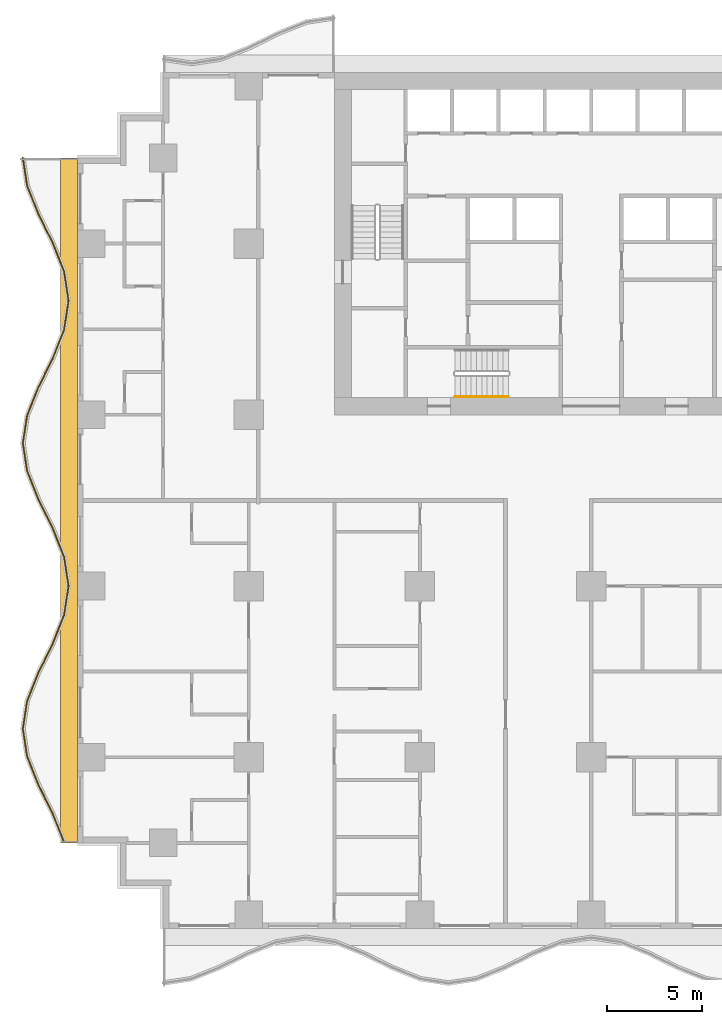
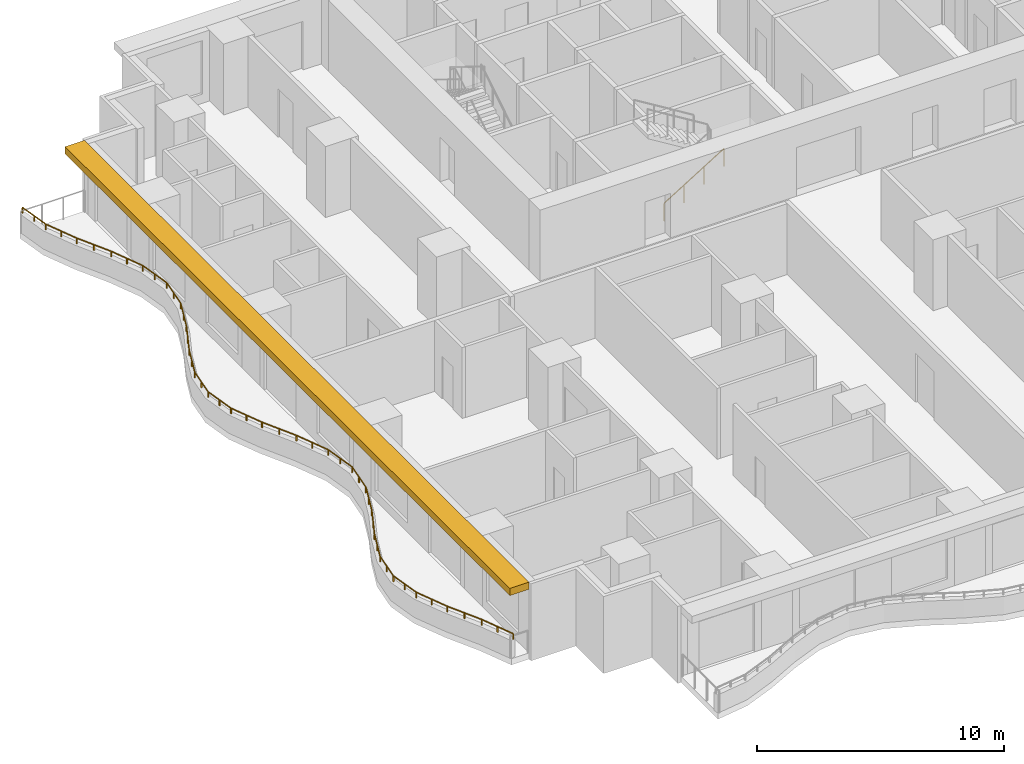
# One storey, part 9 of 14: 2 railings, 1 shading device.
"""IFC4 building model written with IfcOpenShell, lengths in metres."""

from ifc_helpers import new_model, si_unit, direction, frame, origin, origin_2d, place, context, subcontext, project, spatial, polyline, rectangle, circle, outline, extrude, material, layer, layer_set, type_object, element, save


model = new_model("IFC4")

# Units and contexts
model_context = context("Model", 3, precision=1e-05, world=origin(), true_north=direction((0.0, 1.0)))
body_context = subcontext(model_context, "Body", "Model", "MODEL_VIEW")
ifc_project = project(units=[si_unit("LENGTHUNIT", "METRE"), si_unit("AREAUNIT", "SQUARE_METRE"), si_unit("VOLUMEUNIT", "CUBIC_METRE"), si_unit("PLANEANGLEUNIT", "RADIAN"), si_unit("MASSUNIT", "GRAM", prefix="KILO")], contexts=[model_context])

# Site, building, storey
site_placement = place(None, origin())
site = spatial("IfcSite", under=ifc_project, at=site_placement, CompositionType="ELEMENT")
building_placement = place(site_placement, origin())
building = spatial("IfcBuilding", under=site, at=building_placement, Name="Orbiselva Terraces", CompositionType="ELEMENT")
storey_placement = place(building_placement, frame((0.0, 0.0, 22.6)))
storey = spatial("IfcBuildingStorey", under=building, at=storey_placement, Name="L05", CompositionType="ELEMENT", Elevation=22.6)

# Railings
ifc_material_1 = material(Name="Stainless steel", Category="steel")
railing_type_1 = type_object("IfcRailingType", Name="CORE-HANDRAIL-900", PredefinedType="HANDRAIL", material=ifc_material_1)
railing_1_placement = place(storey_placement, frame((-7.15, 5.45, 0.172727)))
element("IfcRailing", 1, at=railing_1_placement, inside=storey, type_object=railing_type_1, Name="L05 S3 stair handrail 1", PredefinedType="HANDRAIL", context=body_context, shape_type="SweptSolid", body=[
    extrude(circle(Radius=0.024, at=origin_2d()), frame((0.0, 0.0, 0.876), z_axis=(0.851088519012, 0.0, 0.52502222125), x_axis=(0.0, 1.0, 0.0)), (0.0, 0.0, 1.0), 3.289905),
    extrude(circle(Radius=0.021, at=origin_2d()), origin(), (0.0, 0.0, 1.0), 0.852),
    extrude(circle(Radius=0.021, at=origin_2d()), frame((0.933333, 0.0, 0.575758)), (0.0, 0.0, 1.0), 0.852),
    extrude(circle(Radius=0.021, at=origin_2d()), frame((1.866667, 0.0, 1.151515)), (0.0, 0.0, 1.0), 0.852),
    extrude(circle(Radius=0.021, at=origin_2d()), frame((2.8, 0.0, 1.727273)), (0.0, 0.0, 1.0), 0.852),
])
ifc_material_2 = material(Name="Bonded two-ply safety glass balustrade, stainless steel posts", Category="steel")
railing_type_2 = type_object("IfcRailingType", Name="ENV-BALUSTRADE-1200", PredefinedType="BALUSTRADE", material=ifc_material_2)
railing_2_placement = place(storey_placement, frame((-29.876434, 18.018879, 0.9)))
element("IfcRailing", 2, at=railing_2_placement, inside=storey, type_object=railing_type_2, Name="Balcony balustrade L05 W", PredefinedType="BALUSTRADE", context=body_context, shape_type="SweptSolid", body=[
    extrude(outline(polyline([(0.028868, 0.0), (0.014434, 0.025), (-0.014434, 0.025), (-0.028868, 0.0), (-0.014434, -0.025), (0.014434, -0.025), (0.028868, 0.0)])), frame((0.0, 0.0, 0.275), z_axis=(0.151034103443, -0.988528552748, 0.0), x_axis=(0.988528552748, 0.151034103443, 0.0)), (0.0, 0.0, 1.0), 1.503038),
    extrude(outline(polyline([(0.028868, 0.0), (0.014434, 0.025), (-0.014434, 0.025), (-0.028868, 0.0), (-0.014434, -0.025), (0.014434, -0.025), (0.028868, 0.0)])), frame((0.22701, -1.485796, 0.275), z_axis=(0.371391000387, -0.928476561272, 0.0), x_axis=(0.928476561272, 0.371391000387, 0.0)), (0.0, 0.0, 1.0), 1.596261),
    extrude(outline(polyline([(0.028868, 0.0), (0.014434, 0.025), (-0.014434, 0.025), (-0.028868, 0.0), (-0.014434, -0.025), (0.014434, -0.025), (0.028868, 0.0)])), frame((0.819847, -2.967887, 0.275), z_axis=(0.443212307306, -0.896416672454, 0.0), x_axis=(0.896416672454, 0.443212307306, 0.0)), (0.0, 0.0, 1.0), 1.673329),
    extrude(outline(polyline([(0.028868, 0.0), (0.014434, 0.025), (-0.014434, 0.025), (-0.028868, 0.0), (-0.014434, -0.025), (0.014434, -0.025), (0.028868, 0.0)])), frame((1.561487, -4.467887, 0.275), z_axis=(0.371390359967, -0.92847681744, 0.0), x_axis=(0.92847681744, 0.371390359967, 0.0)), (0.0, 0.0, 1.0), 1.634838),
    extrude(outline(polyline([(0.028868, 0.0), (0.014434, 0.025), (-0.014434, 0.025), (-0.028868, 0.0), (-0.014434, -0.025), (0.014434, -0.025), (0.028868, 0.0)])), frame((2.16865, -5.985796, 0.275), z_axis=(0.151034211256, -0.988528536275, 0.0), x_axis=(0.988528536275, 0.151034211256, 0.0)), (0.0, 0.0, 1.0), 1.550874),
    extrude(outline(polyline([(0.028868, 0.0), (0.014434, 0.025), (-0.014434, 0.025), (-0.028868, 0.0), (-0.014434, -0.025), (0.014434, -0.025), (0.028868, 0.0)])), frame((2.402885, -7.518879, 0.275), z_axis=(-0.151034211256, -0.988528536275, 0.0), x_axis=(0.988528536275, -0.151034211256, 0.0)), (0.0, 0.0, 1.0), 1.550874),
    extrude(outline(polyline([(0.028868, 0.0), (0.014434, 0.025), (-0.014434, 0.025), (-0.028868, 0.0), (-0.014434, -0.025), (0.014434, -0.025), (0.028868, 0.0)])), frame((2.16865, -9.051962, 0.275), z_axis=(-0.371390359967, -0.92847681744, 0.0), x_axis=(0.92847681744, -0.371390359967, 0.0)), (0.0, 0.0, 1.0), 1.634838),
    extrude(outline(polyline([(0.028868, 0.0), (0.014434, 0.025), (-0.014434, 0.025), (-0.028868, 0.0), (-0.014434, -0.025), (0.014434, -0.025), (0.028868, 0.0)])), frame((1.561487, -10.569871, 0.275), z_axis=(-0.443212307306, -0.896416672454, 0.0), x_axis=(0.896416672454, -0.443212307306, 0.0)), (0.0, 0.0, 1.0), 1.673329),
    extrude(outline(polyline([(0.028868, 0.0), (0.014434, 0.025), (-0.014434, 0.025), (-0.028868, 0.0), (-0.014434, -0.025), (0.014434, -0.025), (0.028868, 0.0)])), frame((0.819847, -12.069871, 0.275), z_axis=(-0.371391000387, -0.928476561272, 0.0), x_axis=(0.928476561272, -0.371391000387, 0.0)), (0.0, 0.0, 1.0), 1.596261),
    extrude(outline(polyline([(0.028868, 0.0), (0.014434, 0.025), (-0.014434, 0.025), (-0.028868, 0.0), (-0.014434, -0.025), (0.014434, -0.025), (0.028868, 0.0)])), frame((0.22701, -13.551962, 0.275), z_axis=(-0.151033749027, -0.988528606898, 0.0), x_axis=(0.988528606898, -0.151033749027, 0.0)), (0.0, 0.0, 1.0), 1.48394),
    extrude(outline(polyline([(0.028868, 0.0), (0.014434, 0.025), (-0.014434, 0.025), (-0.028868, 0.0), (-0.014434, -0.025), (0.014434, -0.025), (0.028868, 0.0)])), frame((0.002885, -15.018879, 0.275), z_axis=(0.151033749027, -0.988528606898, 0.0), x_axis=(0.988528606898, 0.151033749027, 0.0)), (0.0, 0.0, 1.0), 1.48394),
    extrude(outline(polyline([(0.028868, 0.0), (0.014434, 0.025), (-0.014434, 0.025), (-0.028868, 0.0), (-0.014434, -0.025), (0.014434, -0.025), (0.028868, 0.0)])), frame((0.22701, -16.485796, 0.275), z_axis=(0.371391000387, -0.928476561272, 0.0), x_axis=(0.928476561272, 0.371391000387, 0.0)), (0.0, 0.0, 1.0), 1.596261),
    extrude(outline(polyline([(0.028868, 0.0), (0.014434, 0.025), (-0.014434, 0.025), (-0.028868, 0.0), (-0.014434, -0.025), (0.014434, -0.025), (0.028868, 0.0)])), frame((0.819847, -17.967887, 0.275), z_axis=(0.443212307306, -0.896416672454, 0.0), x_axis=(0.896416672454, 0.443212307306, 0.0)), (0.0, 0.0, 1.0), 1.673329),
    extrude(outline(polyline([(0.028868, 0.0), (0.014434, 0.025), (-0.014434, 0.025), (-0.028868, 0.0), (-0.014434, -0.025), (0.014434, -0.025), (0.028868, 0.0)])), frame((1.561487, -19.467887, 0.275), z_axis=(0.371390359967, -0.92847681744, 0.0), x_axis=(0.92847681744, 0.371390359967, 0.0)), (0.0, 0.0, 1.0), 1.634838),
    extrude(outline(polyline([(0.028868, 0.0), (0.014434, 0.025), (-0.014434, 0.025), (-0.028868, 0.0), (-0.014434, -0.025), (0.014434, -0.025), (0.028868, 0.0)])), frame((2.16865, -20.985796, 0.275), z_axis=(0.151034211256, -0.988528536275, 0.0), x_axis=(0.988528536275, 0.151034211256, 0.0)), (0.0, 0.0, 1.0), 1.550874),
    extrude(outline(polyline([(0.028868, 0.0), (0.014434, 0.025), (-0.014434, 0.025), (-0.028868, 0.0), (-0.014434, -0.025), (0.014434, -0.025), (0.028868, 0.0)])), frame((2.402885, -22.518879, 0.275), z_axis=(-0.151034211256, -0.988528536275, 0.0), x_axis=(0.988528536275, -0.151034211256, 0.0)), (0.0, 0.0, 1.0), 1.550874),
    extrude(outline(polyline([(0.028868, 0.0), (0.014434, 0.025), (-0.014434, 0.025), (-0.028868, 0.0), (-0.014434, -0.025), (0.014434, -0.025), (0.028868, 0.0)])), frame((2.16865, -24.051962, 0.275), z_axis=(-0.371390359967, -0.92847681744, 0.0), x_axis=(0.92847681744, -0.371390359967, 0.0)), (0.0, 0.0, 1.0), 1.634838),
    extrude(outline(polyline([(0.028868, 0.0), (0.014434, 0.025), (-0.014434, 0.025), (-0.028868, 0.0), (-0.014434, -0.025), (0.014434, -0.025), (0.028868, 0.0)])), frame((1.561487, -25.569871, 0.275), z_axis=(-0.443212307306, -0.896416672454, 0.0), x_axis=(0.896416672454, -0.443212307306, 0.0)), (0.0, 0.0, 1.0), 1.673329),
    extrude(outline(polyline([(0.028868, 0.0), (0.014434, 0.025), (-0.014434, 0.025), (-0.028868, 0.0), (-0.014434, -0.025), (0.014434, -0.025), (0.028868, 0.0)])), frame((0.819847, -27.069871, 0.275), z_axis=(-0.371391000387, -0.928476561272, 0.0), x_axis=(0.928476561272, -0.371391000387, 0.0)), (0.0, 0.0, 1.0), 1.596261),
    extrude(outline(polyline([(0.028868, 0.0), (0.014434, 0.025), (-0.014434, 0.025), (-0.028868, 0.0), (-0.014434, -0.025), (0.014434, -0.025), (0.028868, 0.0)])), frame((0.22701, -28.551962, 0.275), z_axis=(-0.151033749027, -0.988528606898, 0.0), x_axis=(0.988528606898, -0.151033749027, 0.0)), (0.0, 0.0, 1.0), 1.48394),
    extrude(outline(polyline([(0.028868, 0.0), (0.014434, 0.025), (-0.014434, 0.025), (-0.028868, 0.0), (-0.014434, -0.025), (0.014434, -0.025), (0.028868, 0.0)])), frame((0.002885, -30.018879, 0.275), z_axis=(0.151033749027, -0.988528606898, 0.0), x_axis=(0.988528606898, 0.151033749027, 0.0)), (0.0, 0.0, 1.0), 1.48394),
    extrude(outline(polyline([(0.028868, 0.0), (0.014434, 0.025), (-0.014434, 0.025), (-0.028868, 0.0), (-0.014434, -0.025), (0.014434, -0.025), (0.028868, 0.0)])), frame((0.22701, -31.485796, 0.275), z_axis=(0.371391000387, -0.928476561272, 0.0), x_axis=(0.928476561272, 0.371391000387, 0.0)), (0.0, 0.0, 1.0), 1.596261),
    extrude(outline(polyline([(0.028868, 0.0), (0.014434, 0.025), (-0.014434, 0.025), (-0.028868, 0.0), (-0.014434, -0.025), (0.014434, -0.025), (0.028868, 0.0)])), frame((0.819847, -32.967887, 0.275), z_axis=(0.443212307306, -0.896416672454, 0.0), x_axis=(0.896416672454, 0.443212307306, 0.0)), (0.0, 0.0, 1.0), 1.673329),
    extrude(outline(polyline([(0.028868, 0.0), (0.014434, 0.025), (-0.014434, 0.025), (-0.028868, 0.0), (-0.014434, -0.025), (0.014434, -0.025), (0.028868, 0.0)])), frame((1.561487, -34.467887, 0.275), z_axis=(0.371390569957, -0.928476733444, 0.0), x_axis=(0.928476733444, 0.371390569957, 0.0)), (0.0, 0.0, 1.0), 1.620469),
    extrude(rectangle(XDim=0.05, YDim=0.05, at=origin_2d()), origin(), (0.0, 0.0, 1.0), 0.25),
    extrude(rectangle(XDim=0.05, YDim=0.05, at=origin_2d()), frame((0.113505, -0.742898, 0.0)), (0.0, 0.0, 1.0), 0.25),
    extrude(rectangle(XDim=0.05, YDim=0.05, at=origin_2d()), frame((0.22701, -1.485796, 0.0)), (0.0, 0.0, 1.0), 0.25),
    extrude(rectangle(XDim=0.05, YDim=0.05, at=origin_2d()), frame((0.523428, -2.226841, 0.0)), (0.0, 0.0, 1.0), 0.25),
    extrude(rectangle(XDim=0.05, YDim=0.05, at=origin_2d()), frame((0.819847, -2.967887, 0.0)), (0.0, 0.0, 1.0), 0.25),
    extrude(rectangle(XDim=0.05, YDim=0.05, at=origin_2d()), frame((1.190667, -3.717887, 0.0)), (0.0, 0.0, 1.0), 0.25),
    extrude(rectangle(XDim=0.05, YDim=0.05, at=origin_2d()), frame((1.561487, -4.467887, 0.0)), (0.0, 0.0, 1.0), 0.25),
    extrude(rectangle(XDim=0.05, YDim=0.05, at=origin_2d()), frame((1.865068, -5.226841, 0.0)), (0.0, 0.0, 1.0), 0.25),
    extrude(rectangle(XDim=0.05, YDim=0.05, at=origin_2d()), frame((2.16865, -5.985796, 0.0)), (0.0, 0.0, 1.0), 0.25),
    extrude(rectangle(XDim=0.05, YDim=0.05, at=origin_2d()), frame((2.285768, -6.752337, 0.0)), (0.0, 0.0, 1.0), 0.25),
    extrude(rectangle(XDim=0.05, YDim=0.05, at=origin_2d()), frame((2.402885, -7.518879, 0.0)), (0.0, 0.0, 1.0), 0.25),
    extrude(rectangle(XDim=0.05, YDim=0.05, at=origin_2d()), frame((2.285768, -8.28542, 0.0)), (0.0, 0.0, 1.0), 0.25),
    extrude(rectangle(XDim=0.05, YDim=0.05, at=origin_2d()), frame((2.16865, -9.051962, 0.0)), (0.0, 0.0, 1.0), 0.25),
    extrude(rectangle(XDim=0.05, YDim=0.05, at=origin_2d()), frame((1.865068, -9.810916, 0.0)), (0.0, 0.0, 1.0), 0.25),
    extrude(rectangle(XDim=0.05, YDim=0.05, at=origin_2d()), frame((1.561487, -10.569871, 0.0)), (0.0, 0.0, 1.0), 0.25),
    extrude(rectangle(XDim=0.05, YDim=0.05, at=origin_2d()), frame((1.190667, -11.319871, 0.0)), (0.0, 0.0, 1.0), 0.25),
    extrude(rectangle(XDim=0.05, YDim=0.05, at=origin_2d()), frame((0.819847, -12.069871, 0.0)), (0.0, 0.0, 1.0), 0.25),
    extrude(rectangle(XDim=0.05, YDim=0.05, at=origin_2d()), frame((0.523428, -12.810916, 0.0)), (0.0, 0.0, 1.0), 0.25),
    extrude(rectangle(XDim=0.05, YDim=0.05, at=origin_2d()), frame((0.22701, -13.551962, 0.0)), (0.0, 0.0, 1.0), 0.25),
    extrude(rectangle(XDim=0.05, YDim=0.05, at=origin_2d()), frame((0.114947, -14.28542, 0.0)), (0.0, 0.0, 1.0), 0.25),
    extrude(rectangle(XDim=0.05, YDim=0.05, at=origin_2d()), frame((0.002885, -15.018879, 0.0)), (0.0, 0.0, 1.0), 0.25),
    extrude(rectangle(XDim=0.05, YDim=0.05, at=origin_2d()), frame((0.114947, -15.752337, 0.0)), (0.0, 0.0, 1.0), 0.25),
    extrude(rectangle(XDim=0.05, YDim=0.05, at=origin_2d()), frame((0.22701, -16.485796, 0.0)), (0.0, 0.0, 1.0), 0.25),
    extrude(rectangle(XDim=0.05, YDim=0.05, at=origin_2d()), frame((0.523428, -17.226842, 0.0)), (0.0, 0.0, 1.0), 0.25),
    extrude(rectangle(XDim=0.05, YDim=0.05, at=origin_2d()), frame((0.819847, -17.967887, 0.0)), (0.0, 0.0, 1.0), 0.25),
    extrude(rectangle(XDim=0.05, YDim=0.05, at=origin_2d()), frame((1.190667, -18.717887, 0.0)), (0.0, 0.0, 1.0), 0.25),
    extrude(rectangle(XDim=0.05, YDim=0.05, at=origin_2d()), frame((1.561487, -19.467887, 0.0)), (0.0, 0.0, 1.0), 0.25),
    extrude(rectangle(XDim=0.05, YDim=0.05, at=origin_2d()), frame((1.865068, -20.226842, 0.0)), (0.0, 0.0, 1.0), 0.25),
    extrude(rectangle(XDim=0.05, YDim=0.05, at=origin_2d()), frame((2.16865, -20.985796, 0.0)), (0.0, 0.0, 1.0), 0.25),
    extrude(rectangle(XDim=0.05, YDim=0.05, at=origin_2d()), frame((2.285768, -21.752337, 0.0)), (0.0, 0.0, 1.0), 0.25),
    extrude(rectangle(XDim=0.05, YDim=0.05, at=origin_2d()), frame((2.402885, -22.518879, 0.0)), (0.0, 0.0, 1.0), 0.25),
    extrude(rectangle(XDim=0.05, YDim=0.05, at=origin_2d()), frame((2.285768, -23.28542, 0.0)), (0.0, 0.0, 1.0), 0.25),
    extrude(rectangle(XDim=0.05, YDim=0.05, at=origin_2d()), frame((2.16865, -24.051962, 0.0)), (0.0, 0.0, 1.0), 0.25),
    extrude(rectangle(XDim=0.05, YDim=0.05, at=origin_2d()), frame((1.865068, -24.810916, 0.0)), (0.0, 0.0, 1.0), 0.25),
    extrude(rectangle(XDim=0.05, YDim=0.05, at=origin_2d()), frame((1.561487, -25.569871, 0.0)), (0.0, 0.0, 1.0), 0.25),
    extrude(rectangle(XDim=0.05, YDim=0.05, at=origin_2d()), frame((1.190667, -26.319871, 0.0)), (0.0, 0.0, 1.0), 0.25),
    extrude(rectangle(XDim=0.05, YDim=0.05, at=origin_2d()), frame((0.819847, -27.069871, 0.0)), (0.0, 0.0, 1.0), 0.25),
    extrude(rectangle(XDim=0.05, YDim=0.05, at=origin_2d()), frame((0.523428, -27.810916, 0.0)), (0.0, 0.0, 1.0), 0.25),
    extrude(rectangle(XDim=0.05, YDim=0.05, at=origin_2d()), frame((0.22701, -28.551962, 0.0)), (0.0, 0.0, 1.0), 0.25),
    extrude(rectangle(XDim=0.05, YDim=0.05, at=origin_2d()), frame((0.114947, -29.28542, 0.0)), (0.0, 0.0, 1.0), 0.25),
    extrude(rectangle(XDim=0.05, YDim=0.05, at=origin_2d()), frame((0.002885, -30.018879, 0.0)), (0.0, 0.0, 1.0), 0.25),
    extrude(rectangle(XDim=0.05, YDim=0.05, at=origin_2d()), frame((0.114947, -30.752338, 0.0)), (0.0, 0.0, 1.0), 0.25),
    extrude(rectangle(XDim=0.05, YDim=0.05, at=origin_2d()), frame((0.22701, -31.485796, 0.0)), (0.0, 0.0, 1.0), 0.25),
    extrude(rectangle(XDim=0.05, YDim=0.05, at=origin_2d()), frame((0.523428, -32.226842, 0.0)), (0.0, 0.0, 1.0), 0.25),
    extrude(rectangle(XDim=0.05, YDim=0.05, at=origin_2d()), frame((0.819847, -32.967887, 0.0)), (0.0, 0.0, 1.0), 0.25),
    extrude(rectangle(XDim=0.05, YDim=0.05, at=origin_2d()), frame((1.190667, -33.717887, 0.0)), (0.0, 0.0, 1.0), 0.25),
    extrude(rectangle(XDim=0.05, YDim=0.05, at=origin_2d()), frame((1.561487, -34.467887, 0.0)), (0.0, 0.0, 1.0), 0.25),
    extrude(rectangle(XDim=0.05, YDim=0.05, at=origin_2d()), frame((1.8624, -35.220171, 0.0)), (0.0, 0.0, 1.0), 0.25),
    extrude(rectangle(XDim=0.05, YDim=0.05, at=origin_2d()), frame((2.163314, -35.972455, 0.0)), (0.0, 0.0, 1.0), 0.25),
])

# Shading device
ifc_material_3 = material(Name="Terracotta baguette sunshade", Category="masonry")
ifc_layer = layer(ifc_material_3, 0.35)
ifc_layer_set = layer_set([ifc_layer], Name="Terracotta baguette sunshade")
shading_device_type = type_object("IfcShadingDeviceType", Name="ENV-SUNSHADE-900x350", PredefinedType="USERDEFINED", material=ifc_layer_set)
shading_device_placement = place(storey_placement, frame((0.0, 0.0, 3.15)))
element("IfcShadingDevice", 3, at=shading_device_placement, inside=storey, type_object=shading_device_type, Name="Sunshade band L05 W", ObjectType="SUNSHADE", PredefinedType="USERDEFINED", context=body_context, shape_type="SweptSolid", body=[
    extrude(outline(polyline([(-27.9, 18.0), (-27.9, -18.0), (-27.0, -18.0), (-27.0, 18.0), (-27.9, 18.0)])), origin(), (0.0, 0.0, 1.0), 0.35),
])

save(model, "model.ifc")
